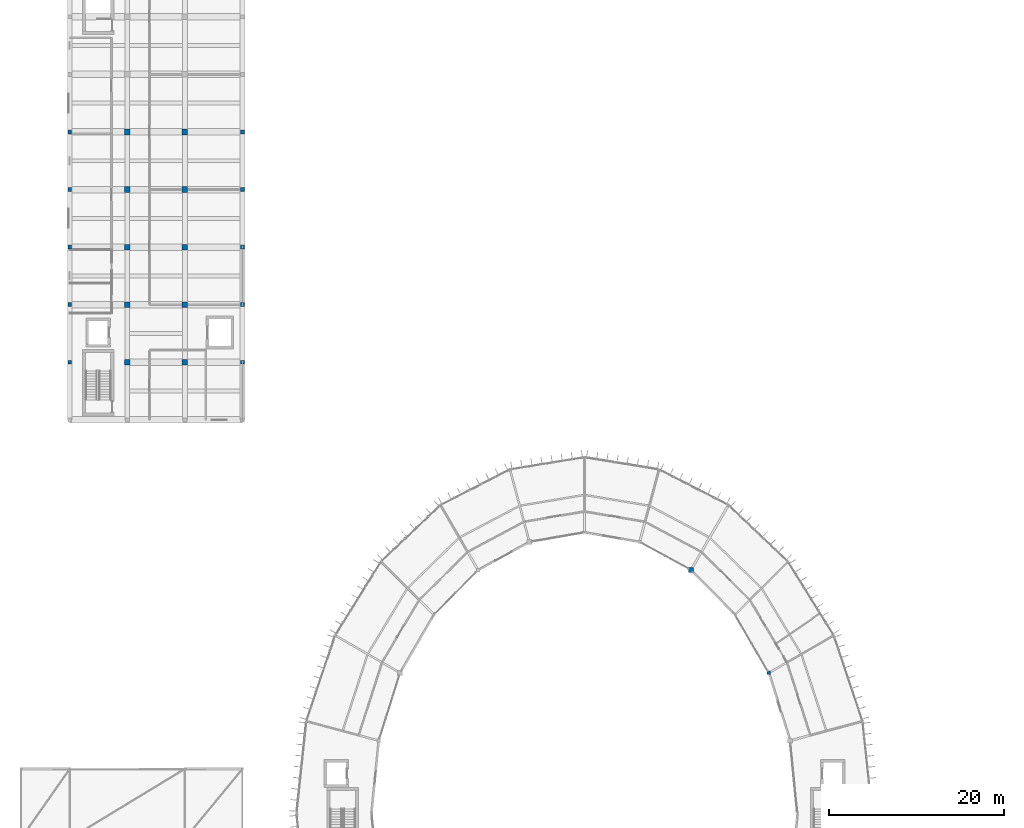
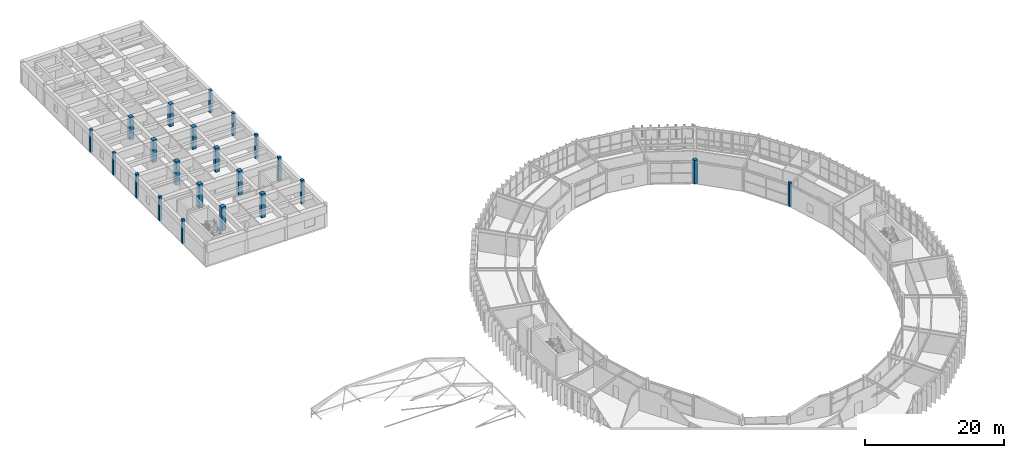
# One storey, part 13 of 134: 22 columns.
"""IFC4 building model written with IfcOpenShell, lengths in metres."""

import ifcopenshell
import ifcopenshell.guid

model = None  # the IFC model being written
_history = None  # IfcOwnerHistory: only IFC2X3 demands one
_inside = {}  # id of a spatial element -> (the spatial element, [elements in it])
_under = {}  # id of a project, library or spatial element -> (it, [spatial elements below it])
_declared = {}  # id of a project -> (the project, [libraries it declares])
_typed = {}  # id of a type object -> (the type object, [elements of that type])
_made_of = {}  # id of a material, layer set ... -> (it, [elements and type objects made of it])


def new_model(schema):
    """Start an empty IFC model of exactly this schema.

    Asked for "IFC4X3", IfcOpenShell would pick the latest addendum, in which some entities
    have other attributes; the version numbers below select the first issue.
    IFC2X3 requires an IfcOwnerHistory on every rooted entity: one is made here for all.
    """
    global model, _history
    if schema == "IFC4X3":
        model = ifcopenshell.file(schema_version=(4, 3, 0, 0))
    else:
        model = ifcopenshell.file(schema=schema)
    _inside.clear()
    _under.clear()
    _declared.clear()
    _typed.clear()
    _made_of.clear()
    _history = None
    if model.schema == "IFC2X3":
        org = make("IfcOrganization", Name="unknown")
        user = make(
            "IfcPersonAndOrganization",
            ThePerson=make("IfcPerson", FamilyName="unknown"),
            TheOrganization=org,
        )
        app = make(
            "IfcApplication",
            ApplicationDeveloper=org,
            Version="unknown",
            ApplicationFullName="unknown",
            ApplicationIdentifier="unknown",
        )
        _history = make(
            "IfcOwnerHistory",
            OwningUser=user,
            OwningApplication=app,
            ChangeAction="ADDED",
            CreationDate=0,
        )
    return model


def make(cls, **values):
    """One entity of the class cls with the attributes given. An attribute that is None is left unset."""
    return model.create_entity(
        cls, **{name: value for name, value in values.items() if value is not None}
    )


def rooted(cls, **values):
    """An entity with a GlobalId (a new one), such as an element, a storey or a relation."""
    return make(cls, GlobalId=ifcopenshell.guid.new(), OwnerHistory=_history, **values)


def si_unit(unit_type, name, prefix=None):
    """IfcSIUnit, for example si_unit("LENGTHUNIT", "METRE", prefix="MILLI")."""
    return make("IfcSIUnit", UnitType=unit_type, Prefix=prefix, Name=name)


def assignment(units):
    """IfcUnitAssignment: the units of a project."""
    return None if units is None else make("IfcUnitAssignment", Units=units)


def point(xyz):
    """IfcCartesianPoint."""
    return None if xyz is None else make("IfcCartesianPoint", Coordinates=xyz)


def direction(xyz):
    """IfcDirection."""
    return None if xyz is None else make("IfcDirection", DirectionRatios=xyz)


def frame(location, z_axis=None, x_axis=None):
    """IfcAxis2Placement3D, a coordinate frame: its origin and axes. An axis left out is left unset."""
    return make(
        "IfcAxis2Placement3D",
        Location=point(location),
        Axis=direction(z_axis),
        RefDirection=direction(x_axis),
    )


def frame_2d(location, x_axis=None):
    """IfcAxis2Placement2D, a coordinate frame in the plane: its origin and x axis."""
    return make(
        "IfcAxis2Placement2D", Location=point(location), RefDirection=direction(x_axis)
    )


def origin():
    """The frame at (0, 0, 0) with its axes left unset."""
    return frame((0.0, 0.0, 0.0))


def origin_2d():
    """The frame at (0, 0) in the plane with its x axis left unset."""
    return frame_2d((0.0, 0.0))


def place(relative_to, where):
    """IfcLocalPlacement: puts the frame where relative to a parent placement (None: the world)."""
    return make(
        "IfcLocalPlacement", PlacementRelTo=relative_to, RelativePlacement=where
    )


def context(
    kind, dimensions, precision=None, world=None, true_north=None, identifier=None
):
    """IfcGeometricRepresentationContext, for example the 3D "Model" context."""
    return make(
        "IfcGeometricRepresentationContext",
        ContextIdentifier=identifier,
        ContextType=kind,
        CoordinateSpaceDimension=dimensions,
        Precision=precision,
        WorldCoordinateSystem=world,
        TrueNorth=true_north,
    )


def subcontext(parent, identifier, kind, view, scale=None):
    """IfcGeometricRepresentationSubContext, for example "Body" below "Model"."""
    return make(
        "IfcGeometricRepresentationSubContext",
        ContextIdentifier=identifier,
        ContextType=kind,
        ParentContext=parent,
        TargetScale=scale,
        TargetView=view,
    )


def project(units=None, contexts=None):
    """IfcProject with its units and contexts."""
    return rooted(
        "IfcProject",
        Name="project",
        RepresentationContexts=contexts,
        UnitsInContext=assignment(units),
    )


def spatial(cls, under=None, at=None, **own):
    """A site, building, storey or space (cls), placed at a placement, below another one or the project."""
    s = rooted(cls, ObjectPlacement=at, **own)
    if under is not None:
        _under.setdefault(under.id(), (under, []))[1].append(s)
    return s


def profile(cls, at=None, kind="AREA", **sizes):
    """A parametric profile (cls). Its sizes go by their IFC names, for example OverallWidth=200.0."""
    return make(cls, ProfileType=kind, Position=at, **sizes)


def rectangle(**sizes):
    """IfcRectangleProfileDef."""
    return profile("IfcRectangleProfileDef", **sizes)


def extrude(swept, where, along, depth):
    """IfcExtrudedAreaSolid: the profile swept, set in the frame where, extruded along a direction by depth."""
    return make(
        "IfcExtrudedAreaSolid",
        SweptArea=swept,
        Position=where,
        ExtrudedDirection=direction(along),
        Depth=depth,
    )


def shape(context_of_items, identifier, shape_type, items):
    """IfcShapeRepresentation: the items that make up one representation, for example the "Body"."""
    return make(
        "IfcShapeRepresentation",
        ContextOfItems=context_of_items,
        RepresentationIdentifier=identifier,
        RepresentationType=shape_type,
        Items=items,
    )


def material(Name=None, Category=None):
    """IfcMaterial."""
    return make("IfcMaterial", Name=Name, Category=Category)


def material_profile(
    of_material, cross_section, Name=None, Category=None, Priority=None
):
    """IfcMaterialProfile: a cross section and its material."""
    return make(
        "IfcMaterialProfile",
        Name=Name,
        Material=of_material,
        Profile=cross_section,
        Priority=Priority,
        Category=Category,
    )


def profile_set(profiles, Name=None, composite=None):
    """IfcMaterialProfileSet."""
    return make(
        "IfcMaterialProfileSet",
        Name=Name,
        MaterialProfiles=profiles,
        CompositeProfile=composite,
    )


def made_of(thing, what):
    """Note that an element or type object is made of a material, layer set ...; save() writes the relation."""
    if what is not None:
        _made_of.setdefault(what.id(), (what, []))[1].append(thing)
    return thing


def type_object(cls, material=None, **own):
    """A type object (cls), such as IfcWallType, which elements share."""
    return made_of(rooted(cls, **own), material)


def element(
    cls,
    number,
    at=None,
    inside=None,
    cuts=None,
    type_object=None,
    material=None,
    context=None,
    identifier="Body",
    shape_type=None,
    held_by="IfcProductDefinitionShape",
    body=None,
    shapes=None,
    **own,
):
    """One element of the class cls, such as IfcWall. Its Tag is "e" and its number.

    at: its placement. inside: the storey or other place that contains it. cuts: it is an
    opening in that element (IfcRelVoidsElement). A single representation is given by context,
    identifier, shape_type and body (its items); several are given by shapes. held_by: the class
    of the entity that holds the representations. save() writes the other relations.
    """
    e = rooted(cls, Tag="e%d" % number, ObjectPlacement=at, **own)
    if body is not None:
        shapes = [shape(context, identifier, shape_type, body)]
    if shapes is not None:
        e.Representation = make(held_by, Representations=shapes)
    if inside is not None:
        _inside.setdefault(inside.id(), (inside, []))[1].append(e)
    if cuts is not None:
        rooted(
            "IfcRelVoidsElement", RelatingBuildingElement=cuts, RelatedOpeningElement=e
        )
    if type_object is not None:
        _typed.setdefault(type_object.id(), (type_object, []))[1].append(e)
    return made_of(e, material)


def aggregate(whole, parts):
    """IfcRelAggregates: a whole, such as a stair, and the parts it consists of."""
    return rooted("IfcRelAggregates", RelatingObject=whole, RelatedObjects=parts)


def save(model, path):
    """Write the relations noted so far, then the file.

    IfcRelAggregates (storeys below a building ...), IfcRelContainedInSpatialStructure (elements
    in a storey), IfcRelDefinesByType, IfcRelAssociatesMaterial and IfcRelDeclares: one each for
    every whole, place, type object, material and project.
    """
    for whole, parts in _under.values():
        aggregate(whole, parts)
    for where, things in _inside.values():
        rooted(
            "IfcRelContainedInSpatialStructure",
            RelatedElements=things,
            RelatingStructure=where,
        )
    for kind, things in _typed.values():
        rooted("IfcRelDefinesByType", RelatedObjects=things, RelatingType=kind)
    for what, things in _made_of.values():
        rooted("IfcRelAssociatesMaterial", RelatedObjects=things, RelatingMaterial=what)
    for by, libraries in _declared.values():
        rooted("IfcRelDeclares", RelatingContext=by, RelatedDefinitions=libraries)
    model.write(path)


model = new_model("IFC4")

# Units and contexts
model_context = context("Model", 3, precision=1e-05, world=origin(), true_north=direction((0.0, 1.0)))
body_context = subcontext(model_context, "Body", "Model", "MODEL_VIEW")
ifc_project = project(units=[si_unit("LENGTHUNIT", "METRE"), si_unit("AREAUNIT", "SQUARE_METRE"), si_unit("VOLUMEUNIT", "CUBIC_METRE"), si_unit("PLANEANGLEUNIT", "RADIAN"), si_unit("MASSUNIT", "GRAM", prefix="KILO")], contexts=[model_context])

# Site, building, storey
site_placement = place(None, origin())
site = spatial("IfcSite", under=ifc_project, at=site_placement, CompositionType="ELEMENT")
building_placement = place(site_placement, origin())
building = spatial("IfcBuilding", under=site, at=building_placement, Name="Karori Crest Natural Sciences Institute", CompositionType="ELEMENT")
storey_placement = place(building_placement, frame((0.0, 0.0, 21.699951171875)))
storey = spatial("IfcBuildingStorey", under=building, at=storey_placement, Name="L05", CompositionType="ELEMENT", Elevation=21.699951171875)

# Columns
ifc_material = material(Name="Concrete 50 MPa", Category="concrete")
ifc_material_profile_1 = material_profile(ifc_material, rectangle(XDim=0.64990234375, YDim=0.64990234375, at=origin_2d()), Name="RC650x650")
ifc_profile_set_1 = profile_set([ifc_material_profile_1], Name="Concrete 50 MPa")
column_type_1 = type_object("IfcColumnType", Name="CT-19-IL", PredefinedType="COLUMN", material=ifc_profile_set_1)
for number, where, z_axis, x_axis, name in (
    (1, (14.0, 101.60009765625, 0.0), (0.0, 0.0, 1.0), (1.0, 0.0, 0.0), "Column C-0800"),
    (2, (14.0, 108.199951171875, 0.0), (0.0, 0.0, 1.0), (1.0, 0.0, 0.0), "Column C-0808"),
    (3, (14.0, 114.800048828125, 0.0), (0.0, 0.0, 1.0), (1.0, 0.0, 0.0), "Column C-0816"),
):
    element("IfcColumn", number, at=place(storey_placement, frame(where, z_axis=z_axis, x_axis=x_axis)), inside=storey, type_object=column_type_1, Name=name, PredefinedType="COLUMN", context=body_context, shape_type="SweptSolid", body=[
        extrude(rectangle(XDim=0.64990234375, YDim=0.64990234375, at=origin_2d()), origin(), (0.0, 0.0, 1.0), 4.199951171875),
    ])
for number, where, z_axis, x_axis, name in (
    (4, (14.0, 121.39990234375, 0.0), (0.0, 0.0, 1.0), (1.0, 0.0, 0.0), "Column C-0824"),
    (5, (14.0, 128.0, 0.0), (0.0, 0.0, 1.0), (1.0, 0.0, 0.0), "Column C-0831"),
):
    element("IfcColumn", number, at=place(storey_placement, frame(where, z_axis=z_axis, x_axis=x_axis)), inside=storey, type_object=column_type_1, Name=name, PredefinedType="COLUMN", context=body_context, shape_type="SweptSolid", body=[
        extrude(rectangle(XDim=0.64990234375, YDim=0.64990234375, at=origin_2d()), origin(), (0.0, 0.0, 1.0), 3.920166015625),
    ])
for number, where, z_axis, x_axis, name in (
    (6, (20.60009765625, 101.60009765625, 0.0), (0.0, 0.0, 1.0), (1.0, 0.0, 0.0), "Column C-0877"),
    (7, (20.60009765625, 108.199951171875, 0.0), (0.0, 0.0, 1.0), (1.0, 0.0, 0.0), "Column C-0885"),
    (8, (20.60009765625, 114.800048828125, 0.0), (0.0, 0.0, 1.0), (1.0, 0.0, 0.0), "Column C-0893"),
):
    element("IfcColumn", number, at=place(storey_placement, frame(where, z_axis=z_axis, x_axis=x_axis)), inside=storey, type_object=column_type_1, Name=name, PredefinedType="COLUMN", context=body_context, shape_type="SweptSolid", body=[
        extrude(rectangle(XDim=0.64990234375, YDim=0.64990234375, at=origin_2d()), origin(), (0.0, 0.0, 1.0), 4.199951171875),
    ])
for number, where, z_axis, x_axis, name in (
    (9, (20.60009765625, 121.39990234375, 0.0), (0.0, 0.0, 1.0), (1.0, 0.0, 0.0), "Column C-0901"),
    (10, (20.60009765625, 128.0, 0.0), (0.0, 0.0, 1.0), (1.0, 0.0, 0.0), "Column C-0908"),
):
    element("IfcColumn", number, at=place(storey_placement, frame(where, z_axis=z_axis, x_axis=x_axis)), inside=storey, type_object=column_type_1, Name=name, PredefinedType="COLUMN", context=body_context, shape_type="SweptSolid", body=[
        extrude(rectangle(XDim=0.64990234375, YDim=0.64990234375, at=origin_2d()), origin(), (0.0, 0.0, 1.0), 3.920166015625),
    ])
ifc_material_profile_2 = material_profile(ifc_material, rectangle(XDim=0.449951171875, YDim=0.449951171875, at=origin_2d()), Name="RC450x450")
ifc_profile_set_2 = profile_set([ifc_material_profile_2], Name="Concrete 50 MPa")
column_type_2 = type_object("IfcColumnType", Name="CT-23", PredefinedType="PILASTER", material=ifc_profile_set_2)
for number, where, z_axis, x_axis, name in (
    (11, (7.39990234375, 101.60009765625, 0.0), (0.0, 0.0, 1.0), (1.0, 0.0, 0.0), "Column C-0723"),
    (12, (7.39990234375, 108.199951171875, 0.0), (0.0, 0.0, 1.0), (1.0, 0.0, 0.0), "Column C-0731"),
    (13, (7.39990234375, 114.800048828125, 0.0), (0.0, 0.0, 1.0), (1.0, 0.0, 0.0), "Column C-0739"),
):
    element("IfcColumn", number, at=place(storey_placement, frame(where, z_axis=z_axis, x_axis=x_axis)), inside=storey, type_object=column_type_2, Name=name, PredefinedType="PILASTER", context=body_context, shape_type="SweptSolid", body=[
        extrude(rectangle(XDim=0.449951171875, YDim=0.449951171875, at=origin_2d()), origin(), (0.0, 0.0, 1.0), 4.199951171875),
    ])
for number, where, z_axis, x_axis, name in (
    (14, (7.39990234375, 121.39990234375, 0.0), (0.0, 0.0, 1.0), (1.0, 0.0, 0.0), "Column C-0747"),
    (15, (7.39990234375, 128.0, 0.0), (0.0, 0.0, 1.0), (1.0, 0.0, 0.0), "Column C-0754"),
):
    element("IfcColumn", number, at=place(storey_placement, frame(where, z_axis=z_axis, x_axis=x_axis)), inside=storey, type_object=column_type_2, Name=name, PredefinedType="PILASTER", context=body_context, shape_type="SweptSolid", body=[
        extrude(rectangle(XDim=0.449951171875, YDim=0.449951171875, at=origin_2d()), origin(), (0.0, 0.0, 1.0), 3.920166015625),
    ])
for number, where, z_axis, x_axis, name in (
    (16, (27.199951171875, 101.60009765625, 0.0), (0.0, 0.0, 1.0), (1.0, 0.0, 0.0), "Column C-0954"),
    (17, (27.199951171875, 108.199951171875, 0.0), (0.0, 0.0, 1.0), (1.0, 0.0, 0.0), "Column C-0962"),
    (18, (27.199951171875, 114.800048828125, 0.0), (0.0, 0.0, 1.0), (1.0, 0.0, 0.0), "Column C-0970"),
):
    element("IfcColumn", number, at=place(storey_placement, frame(where, z_axis=z_axis, x_axis=x_axis)), inside=storey, type_object=column_type_2, Name=name, PredefinedType="PILASTER", context=body_context, shape_type="SweptSolid", body=[
        extrude(rectangle(XDim=0.449951171875, YDim=0.449951171875, at=origin_2d()), origin(), (0.0, 0.0, 1.0), 4.199951171875),
    ])
for number, where, z_axis, x_axis, name in (
    (19, (27.199951171875, 121.39990234375, 0.0), (0.0, 0.0, 1.0), (1.0, 0.0, 0.0), "Column C-0978"),
    (20, (27.199951171875, 128.0, 0.0), (0.0, 0.0, 1.0), (1.0, 0.0, 0.0), "Column C-0985"),
):
    element("IfcColumn", number, at=place(storey_placement, frame(where, z_axis=z_axis, x_axis=x_axis)), inside=storey, type_object=column_type_2, Name=name, PredefinedType="PILASTER", context=body_context, shape_type="SweptSolid", body=[
        extrude(rectangle(XDim=0.449951171875, YDim=0.449951171875, at=origin_2d()), origin(), (0.0, 0.0, 1.0), 3.920166015625),
    ])
ifc_material_profile_3 = material_profile(ifc_material, rectangle(XDim=0.550048828125, YDim=0.550048828125, at=origin_2d()), Name="RC550x550")
ifc_profile_set_3 = profile_set([ifc_material_profile_3], Name="Concrete 50 MPa")
column_type_3 = type_object("IfcColumnType", Name="CT-30", PredefinedType="COLUMN", material=ifc_profile_set_3)
column_1_placement = place(storey_placement, frame((78.60009765625, 77.785888671875, 0.0), z_axis=(0.0, 0.0, 1.0), x_axis=(1.0, 0.0, 0.0)))
element("IfcColumn", 21, at=column_1_placement, inside=storey, type_object=column_type_3, Name="Column C-0086", PredefinedType="COLUMN", context=body_context, shape_type="SweptSolid", body=[
    extrude(rectangle(XDim=0.550048828125, YDim=0.550048828125, at=origin_2d()), origin(), (0.0, 0.0, 1.0), 4.199951171875),
])
ifc_material_profile_4 = material_profile(ifc_material, rectangle(XDim=0.39990234375, YDim=0.39990234375, at=origin_2d()), Name="RC400x400")
ifc_profile_set_4 = profile_set([ifc_material_profile_4], Name="Concrete 50 MPa")
column_type_4 = type_object("IfcColumnType", Name="CT-31", PredefinedType="PILASTER", material=ifc_profile_set_4)
column_2_placement = place(storey_placement, frame((87.531005859375, 66.0, 0.0), z_axis=(0.0, 0.0, 1.0), x_axis=(1.0, 0.0, 0.0)))
element("IfcColumn", 22, at=column_2_placement, inside=storey, type_object=column_type_4, Name="Column C-0050", PredefinedType="PILASTER", context=body_context, shape_type="SweptSolid", body=[
    extrude(rectangle(XDim=0.39990234375, YDim=0.39990234375, at=origin_2d()), origin(), (0.0, 0.0, 1.0), 4.199951171875),
])

save(model, "model.ifc")
